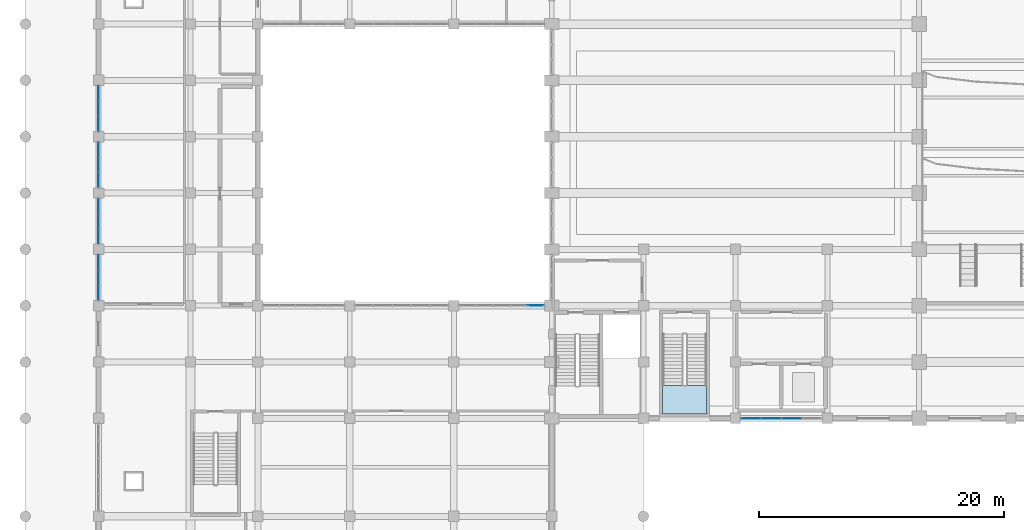
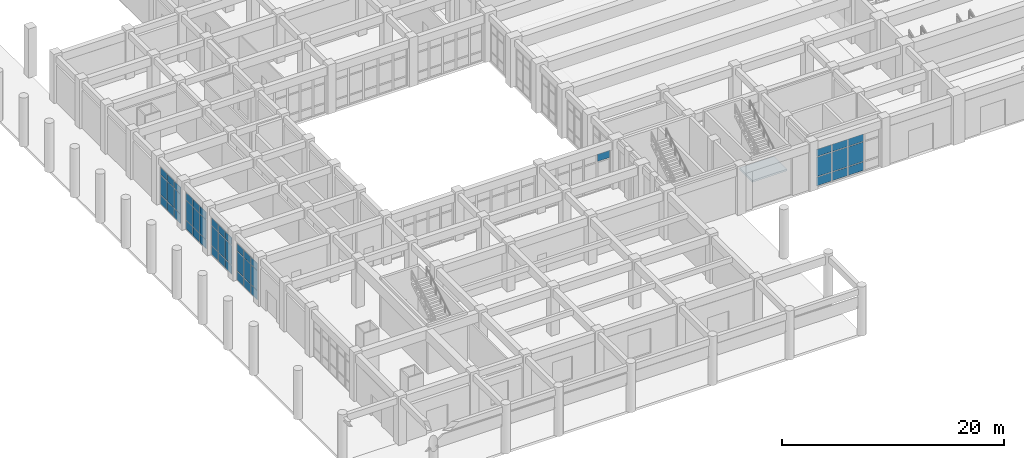
# One storey, part 53 of 84: 46 plates, 1 slab, 7 elements without a shape of their own.
"""IFC4 building model written with IfcOpenShell, lengths in metres."""

from ifc_helpers import new_model, si_unit, direction, frame, origin, origin_2d, place, context, subcontext, project, spatial, polyline, rectangle, outline, extrude, material, layer, layer_set, type_object, element, aggregate, save


model = new_model("IFC4")

# Units and contexts
model_context = context("Model", 3, precision=1e-05, world=origin(), true_north=direction((0.0, 1.0)))
body_context = subcontext(model_context, "Body", "Model", "MODEL_VIEW")
ifc_project = project(units=[si_unit("LENGTHUNIT", "METRE"), si_unit("AREAUNIT", "SQUARE_METRE"), si_unit("VOLUMEUNIT", "CUBIC_METRE"), si_unit("PLANEANGLEUNIT", "RADIAN"), si_unit("MASSUNIT", "GRAM", prefix="KILO")], contexts=[model_context])

# Site, building, storey
site_placement = place(None, origin())
site = spatial("IfcSite", under=ifc_project, at=site_placement, CompositionType="ELEMENT")
building_placement = place(site_placement, origin())
building = spatial("IfcBuilding", under=site, at=building_placement, Name="Muzn Square Opera House", CompositionType="ELEMENT")
storey_placement = place(building_placement, origin())
storey = spatial("IfcBuildingStorey", under=building, at=storey_placement, Name="L00", CompositionType="ELEMENT", Elevation=0.0)

# Curtain wall, plates
ifc_material_1 = material(Name="Low-E laminated acoustic double glazing", Category="glass")
ifc_layer_1 = layer(ifc_material_1, 0.159912109375, Name="Low-E laminated acoustic double glazing", Category="glass")
ifc_layer_set_1 = layer_set([ifc_layer_1], Name="Low-E laminated acoustic double glazing")
curtain_wall_type_1 = type_object("IfcCurtainWallType", Name="Glazed Curtain Wall Forecourt 6650x4150", PredefinedType="USERDEFINED", material=ifc_layer_set_1)
curtain_wall_1_placement = place(storey_placement, origin())
curtain_wall_1 = element("IfcCurtainWall", 1, at=curtain_wall_1_placement, inside=storey, type_object=curtain_wall_type_1, Name="Glazed Curtain Wall CW-L00-001", ObjectType="GLAZED CURTAIN WALL", PredefinedType="USERDEFINED")
ifc_layer_2 = layer(ifc_material_1, 0.035888671875, Name="Low-E laminated acoustic double glazing", Category="glass")
ifc_layer_set_2 = layer_set([ifc_layer_2], Name="Low-E laminated acoustic double glazing")
plate_type = type_object("IfcPlateType", Name="Curtain Wall Solar Glazed Panel 36mm", PredefinedType="CURTAIN_PANEL", material=ifc_layer_set_2)
plate_1_placement = place(storey_placement, frame((59.273681640625, 22.0, 0.06982421875), z_axis=(0.0, 0.0, 1.0), x_axis=(1.0, 0.0, 0.0)))
plate_1 = element("IfcPlate", 2, at=plate_1_placement, type_object=plate_type, Name="CW-FC-66x41 panel 1.1", PredefinedType="CURTAIN_PANEL", context=body_context, shape_type="SweptSolid", body=[
    extrude(rectangle(XDim=1.5576171875, YDim=0.035888671875, at=origin_2d()), origin(), (0.0, 0.0, 1.0), 0.945068359375),
])
plate_2_placement = place(storey_placement, frame((59.273681640625, 22.0, 1.0849609375), z_axis=(0.0, 0.0, 1.0), x_axis=(1.0, 0.0, 0.0)))
plate_2 = element("IfcPlate", 3, at=plate_2_placement, type_object=plate_type, Name="CW-FC-66x41 panel 1.2", PredefinedType="CURTAIN_PANEL", context=body_context, shape_type="SweptSolid", body=[
    extrude(rectangle(XDim=1.5576171875, YDim=0.035888671875, at=origin_2d()), origin(), (0.0, 0.0, 1.0), 2.1298828125),
])
plate_3_placement = place(storey_placement, frame((59.273681640625, 22.0, 3.28515625), z_axis=(0.0, 0.0, 1.0), x_axis=(1.0, 0.0, 0.0)))
plate_3 = element("IfcPlate", 4, at=plate_3_placement, type_object=plate_type, Name="CW-FC-66x41 panel 1.3", PredefinedType="CURTAIN_PANEL", context=body_context, shape_type="SweptSolid", body=[
    extrude(rectangle(XDim=1.5576171875, YDim=0.035888671875, at=origin_2d()), origin(), (0.0, 0.0, 1.0), 0.794921875),
])
plate_4_placement = place(storey_placement, frame((60.918701171875, 22.0, 0.06982421875), z_axis=(0.0, 0.0, 1.0), x_axis=(1.0, 0.0, 0.0)))
plate_4 = element("IfcPlate", 5, at=plate_4_placement, type_object=plate_type, Name="CW-FC-66x41 panel 2.1", PredefinedType="CURTAIN_PANEL", context=body_context, shape_type="SweptSolid", body=[
    extrude(rectangle(XDim=1.592529296875, YDim=0.035888671875, at=origin_2d()), origin(), (0.0, 0.0, 1.0), 0.945068359375),
])
plate_5_placement = place(storey_placement, frame((60.918701171875, 22.0, 1.0849609375), z_axis=(0.0, 0.0, 1.0), x_axis=(1.0, 0.0, 0.0)))
plate_5 = element("IfcPlate", 6, at=plate_5_placement, type_object=plate_type, Name="CW-FC-66x41 panel 2.2", PredefinedType="CURTAIN_PANEL", context=body_context, shape_type="SweptSolid", body=[
    extrude(rectangle(XDim=1.592529296875, YDim=0.035888671875, at=origin_2d()), origin(), (0.0, 0.0, 1.0), 2.1298828125),
])
plate_6_placement = place(storey_placement, frame((60.918701171875, 22.0, 3.28515625), z_axis=(0.0, 0.0, 1.0), x_axis=(1.0, 0.0, 0.0)))
plate_6 = element("IfcPlate", 7, at=plate_6_placement, type_object=plate_type, Name="CW-FC-66x41 panel 2.3", PredefinedType="CURTAIN_PANEL", context=body_context, shape_type="SweptSolid", body=[
    extrude(rectangle(XDim=1.592529296875, YDim=0.035888671875, at=origin_2d()), origin(), (0.0, 0.0, 1.0), 0.794921875),
])
plate_7_placement = place(storey_placement, frame((62.581298828125, 22.0, 0.06982421875), z_axis=(0.0, 0.0, 1.0), x_axis=(1.0, 0.0, 0.0)))
plate_7 = element("IfcPlate", 8, at=plate_7_placement, type_object=plate_type, Name="CW-FC-66x41 panel 3.1", PredefinedType="CURTAIN_PANEL", context=body_context, shape_type="SweptSolid", body=[
    extrude(rectangle(XDim=1.592529296875, YDim=0.035888671875, at=origin_2d()), origin(), (0.0, 0.0, 1.0), 0.945068359375),
])
plate_8_placement = place(storey_placement, frame((62.581298828125, 22.0, 1.0849609375), z_axis=(0.0, 0.0, 1.0), x_axis=(1.0, 0.0, 0.0)))
plate_8 = element("IfcPlate", 9, at=plate_8_placement, type_object=plate_type, Name="CW-FC-66x41 panel 3.2", PredefinedType="CURTAIN_PANEL", context=body_context, shape_type="SweptSolid", body=[
    extrude(rectangle(XDim=1.592529296875, YDim=0.035888671875, at=origin_2d()), origin(), (0.0, 0.0, 1.0), 2.1298828125),
])
plate_9_placement = place(storey_placement, frame((62.581298828125, 22.0, 3.28515625), z_axis=(0.0, 0.0, 1.0), x_axis=(1.0, 0.0, 0.0)))
plate_9 = element("IfcPlate", 10, at=plate_9_placement, type_object=plate_type, Name="CW-FC-66x41 panel 3.3", PredefinedType="CURTAIN_PANEL", context=body_context, shape_type="SweptSolid", body=[
    extrude(rectangle(XDim=1.592529296875, YDim=0.035888671875, at=origin_2d()), origin(), (0.0, 0.0, 1.0), 0.794921875),
])
aggregate(curtain_wall_1, [plate_1, plate_2, plate_3, plate_4, plate_5, plate_6, plate_7, plate_8, plate_9])

# Curtain wall, plate
ifc_layer_3 = layer(ifc_material_1, 0.159912109375, Name="Low-E laminated acoustic double glazing", Category="glass")
ifc_layer_set_3 = layer_set([ifc_layer_3], Name="Low-E laminated acoustic double glazing")
curtain_wall_type_2 = type_object("IfcCurtainWallType", Name="Glazed Curtain Wall WestCloisterS 6975x4150", PredefinedType="USERDEFINED", material=ifc_layer_set_3)
curtain_wall_2_placement = place(storey_placement, origin())
curtain_wall_2 = element("IfcCurtainWall", 11, at=curtain_wall_2_placement, inside=storey, type_object=curtain_wall_type_2, Name="Glazed Curtain Wall CW-L00-073", ObjectType="GLAZED CURTAIN WALL", PredefinedType="USERDEFINED")
plate_10_placement = place(storey_placement, frame((41.68505859375, 31.199951171875, 3.28515625), z_axis=(0.0, 0.0, 1.0), x_axis=(1.0, 0.0, 0.0)))
plate_10 = element("IfcPlate", 12, at=plate_10_placement, type_object=plate_type, Name="CW-WCS-69x41 panel 5.3", PredefinedType="CURTAIN_PANEL", context=body_context, shape_type="SweptSolid", body=[
    extrude(rectangle(XDim=1.2900390625, YDim=0.035888671875, at=origin_2d()), origin(), (0.0, 0.0, 1.0), 0.794921875),
])
aggregate(curtain_wall_2, [plate_10])

# Curtain wall, plates
ifc_layer_4 = layer(ifc_material_1, 0.159912109375, Name="Low-E laminated acoustic double glazing", Category="glass")
ifc_layer_set_4 = layer_set([ifc_layer_4], Name="Low-E laminated acoustic double glazing")
curtain_wall_type_3 = type_object("IfcCurtainWallType", Name="Glazed Curtain Wall WestBlvd 3750x4150", PredefinedType="USERDEFINED", material=ifc_layer_set_4)
curtain_wall_3_placement = place(storey_placement, origin())
curtain_wall_3 = element("IfcCurtainWall", 13, at=curtain_wall_3_placement, inside=storey, type_object=curtain_wall_type_3, Name="Glazed Curtain Wall CW-L00-135", ObjectType="GLAZED CURTAIN WALL", PredefinedType="USERDEFINED")
plate_11_placement = place(storey_placement, frame((6.0, 32.267578125, 0.06982421875), z_axis=(0.0, 0.0, 1.0), x_axis=(0.0, 1.0, 0.0)))
plate_11 = element("IfcPlate", 14, at=plate_11_placement, type_object=plate_type, Name="CW-WBL-37x41 panel 1.1", PredefinedType="CURTAIN_PANEL", context=body_context, shape_type="SweptSolid", body=[
    extrude(rectangle(XDim=1.14501953125, YDim=0.035888671875, at=origin_2d()), origin(), (0.0, 0.0, 1.0), 0.945068359375),
])
plate_12_placement = place(storey_placement, frame((6.0, 32.267578125, 1.0849609375), z_axis=(0.0, 0.0, 1.0), x_axis=(0.0, 1.0, 0.0)))
plate_12 = element("IfcPlate", 15, at=plate_12_placement, type_object=plate_type, Name="CW-WBL-37x41 panel 1.2", PredefinedType="CURTAIN_PANEL", context=body_context, shape_type="SweptSolid", body=[
    extrude(rectangle(XDim=1.14501953125, YDim=0.035888671875, at=origin_2d()), origin(), (0.0, 0.0, 1.0), 2.1298828125),
])
plate_13_placement = place(storey_placement, frame((6.0, 32.267578125, 3.28515625), z_axis=(0.0, 0.0, 1.0), x_axis=(0.0, 1.0, 0.0)))
plate_13 = element("IfcPlate", 16, at=plate_13_placement, type_object=plate_type, Name="CW-WBL-37x41 panel 1.3", PredefinedType="CURTAIN_PANEL", context=body_context, shape_type="SweptSolid", body=[
    extrude(rectangle(XDim=1.14501953125, YDim=0.035888671875, at=origin_2d()), origin(), (0.0, 0.0, 1.0), 0.794921875),
])
plate_14_placement = place(storey_placement, frame((6.0, 33.5, 0.06982421875), z_axis=(0.0, 0.0, 1.0), x_axis=(0.0, 1.0, 0.0)))
plate_14 = element("IfcPlate", 17, at=plate_14_placement, type_object=plate_type, Name="CW-WBL-37x41 panel 2.1", PredefinedType="CURTAIN_PANEL", context=body_context, shape_type="SweptSolid", body=[
    extrude(rectangle(XDim=1.179931640625, YDim=0.035888671875, at=origin_2d()), origin(), (0.0, 0.0, 1.0), 0.945068359375),
])
plate_15_placement = place(storey_placement, frame((6.0, 33.5, 1.0849609375), z_axis=(0.0, 0.0, 1.0), x_axis=(0.0, 1.0, 0.0)))
plate_15 = element("IfcPlate", 18, at=plate_15_placement, type_object=plate_type, Name="CW-WBL-37x41 panel 2.2", PredefinedType="CURTAIN_PANEL", context=body_context, shape_type="SweptSolid", body=[
    extrude(rectangle(XDim=1.179931640625, YDim=0.035888671875, at=origin_2d()), origin(), (0.0, 0.0, 1.0), 2.1298828125),
])
plate_16_placement = place(storey_placement, frame((6.0, 33.5, 3.28515625), z_axis=(0.0, 0.0, 1.0), x_axis=(0.0, 1.0, 0.0)))
plate_16 = element("IfcPlate", 19, at=plate_16_placement, type_object=plate_type, Name="CW-WBL-37x41 panel 2.3", PredefinedType="CURTAIN_PANEL", context=body_context, shape_type="SweptSolid", body=[
    extrude(rectangle(XDim=1.179931640625, YDim=0.035888671875, at=origin_2d()), origin(), (0.0, 0.0, 1.0), 0.794921875),
])
plate_17_placement = place(storey_placement, frame((6.0, 34.732421875, 0.06982421875), z_axis=(0.0, 0.0, 1.0), x_axis=(0.0, 1.0, 0.0)))
plate_17 = element("IfcPlate", 20, at=plate_17_placement, type_object=plate_type, Name="CW-WBL-37x41 panel 3.1", PredefinedType="CURTAIN_PANEL", context=body_context, shape_type="SweptSolid", body=[
    extrude(rectangle(XDim=1.14501953125, YDim=0.035888671875, at=origin_2d()), origin(), (0.0, 0.0, 1.0), 0.945068359375),
])
plate_18_placement = place(storey_placement, frame((6.0, 34.732421875, 1.0849609375), z_axis=(0.0, 0.0, 1.0), x_axis=(0.0, 1.0, 0.0)))
plate_18 = element("IfcPlate", 21, at=plate_18_placement, type_object=plate_type, Name="CW-WBL-37x41 panel 3.2", PredefinedType="CURTAIN_PANEL", context=body_context, shape_type="SweptSolid", body=[
    extrude(rectangle(XDim=1.14501953125, YDim=0.035888671875, at=origin_2d()), origin(), (0.0, 0.0, 1.0), 2.1298828125),
])
plate_19_placement = place(storey_placement, frame((6.0, 34.732421875, 3.28515625), z_axis=(0.0, 0.0, 1.0), x_axis=(0.0, 1.0, 0.0)))
plate_19 = element("IfcPlate", 22, at=plate_19_placement, type_object=plate_type, Name="CW-WBL-37x41 panel 3.3", PredefinedType="CURTAIN_PANEL", context=body_context, shape_type="SweptSolid", body=[
    extrude(rectangle(XDim=1.14501953125, YDim=0.035888671875, at=origin_2d()), origin(), (0.0, 0.0, 1.0), 0.794921875),
])
aggregate(curtain_wall_3, [plate_11, plate_12, plate_13, plate_14, plate_15, plate_16, plate_17, plate_18, plate_19])

curtain_wall_4_placement = place(storey_placement, origin())
curtain_wall_4 = element("IfcCurtainWall", 23, at=curtain_wall_4_placement, inside=storey, type_object=curtain_wall_type_3, Name="Glazed Curtain Wall CW-L00-136", ObjectType="GLAZED CURTAIN WALL", PredefinedType="USERDEFINED")
plate_20_placement = place(storey_placement, frame((6.0, 36.867431640625, 0.06982421875), z_axis=(0.0, 0.0, 1.0), x_axis=(0.0, 1.0, 0.0)))
plate_20 = element("IfcPlate", 24, at=plate_20_placement, type_object=plate_type, Name="CW-WBL-37x41 panel 1.1", PredefinedType="CURTAIN_PANEL", context=body_context, shape_type="SweptSolid", body=[
    extrude(rectangle(XDim=1.14501953125, YDim=0.035888671875, at=origin_2d()), origin(), (0.0, 0.0, 1.0), 0.945068359375),
])
plate_21_placement = place(storey_placement, frame((6.0, 36.867431640625, 1.0849609375), z_axis=(0.0, 0.0, 1.0), x_axis=(0.0, 1.0, 0.0)))
plate_21 = element("IfcPlate", 25, at=plate_21_placement, type_object=plate_type, Name="CW-WBL-37x41 panel 1.2", PredefinedType="CURTAIN_PANEL", context=body_context, shape_type="SweptSolid", body=[
    extrude(rectangle(XDim=1.14501953125, YDim=0.035888671875, at=origin_2d()), origin(), (0.0, 0.0, 1.0), 2.1298828125),
])
plate_22_placement = place(storey_placement, frame((6.0, 36.867431640625, 3.28515625), z_axis=(0.0, 0.0, 1.0), x_axis=(0.0, 1.0, 0.0)))
plate_22 = element("IfcPlate", 26, at=plate_22_placement, type_object=plate_type, Name="CW-WBL-37x41 panel 1.3", PredefinedType="CURTAIN_PANEL", context=body_context, shape_type="SweptSolid", body=[
    extrude(rectangle(XDim=1.14501953125, YDim=0.035888671875, at=origin_2d()), origin(), (0.0, 0.0, 1.0), 0.794921875),
])
plate_23_placement = place(storey_placement, frame((6.0, 38.10009765625, 0.06982421875), z_axis=(0.0, 0.0, 1.0), x_axis=(0.0, 1.0, 0.0)))
plate_23 = element("IfcPlate", 27, at=plate_23_placement, type_object=plate_type, Name="CW-WBL-37x41 panel 2.1", PredefinedType="CURTAIN_PANEL", context=body_context, shape_type="SweptSolid", body=[
    extrude(rectangle(XDim=1.179931640625, YDim=0.035888671875, at=origin_2d()), origin(), (0.0, 0.0, 1.0), 0.945068359375),
])
plate_24_placement = place(storey_placement, frame((6.0, 38.10009765625, 1.0849609375), z_axis=(0.0, 0.0, 1.0), x_axis=(0.0, 1.0, 0.0)))
plate_24 = element("IfcPlate", 28, at=plate_24_placement, type_object=plate_type, Name="CW-WBL-37x41 panel 2.2", PredefinedType="CURTAIN_PANEL", context=body_context, shape_type="SweptSolid", body=[
    extrude(rectangle(XDim=1.179931640625, YDim=0.035888671875, at=origin_2d()), origin(), (0.0, 0.0, 1.0), 2.1298828125),
])
plate_25_placement = place(storey_placement, frame((6.0, 38.10009765625, 3.28515625), z_axis=(0.0, 0.0, 1.0), x_axis=(0.0, 1.0, 0.0)))
plate_25 = element("IfcPlate", 29, at=plate_25_placement, type_object=plate_type, Name="CW-WBL-37x41 panel 2.3", PredefinedType="CURTAIN_PANEL", context=body_context, shape_type="SweptSolid", body=[
    extrude(rectangle(XDim=1.179931640625, YDim=0.035888671875, at=origin_2d()), origin(), (0.0, 0.0, 1.0), 0.794921875),
])
plate_26_placement = place(storey_placement, frame((6.0, 39.33251953125, 0.06982421875), z_axis=(0.0, 0.0, 1.0), x_axis=(0.0, 1.0, 0.0)))
plate_26 = element("IfcPlate", 30, at=plate_26_placement, type_object=plate_type, Name="CW-WBL-37x41 panel 3.1", PredefinedType="CURTAIN_PANEL", context=body_context, shape_type="SweptSolid", body=[
    extrude(rectangle(XDim=1.14501953125, YDim=0.035888671875, at=origin_2d()), origin(), (0.0, 0.0, 1.0), 0.945068359375),
])
plate_27_placement = place(storey_placement, frame((6.0, 39.33251953125, 1.0849609375), z_axis=(0.0, 0.0, 1.0), x_axis=(0.0, 1.0, 0.0)))
plate_27 = element("IfcPlate", 31, at=plate_27_placement, type_object=plate_type, Name="CW-WBL-37x41 panel 3.2", PredefinedType="CURTAIN_PANEL", context=body_context, shape_type="SweptSolid", body=[
    extrude(rectangle(XDim=1.14501953125, YDim=0.035888671875, at=origin_2d()), origin(), (0.0, 0.0, 1.0), 2.1298828125),
])
plate_28_placement = place(storey_placement, frame((6.0, 39.33251953125, 3.28515625), z_axis=(0.0, 0.0, 1.0), x_axis=(0.0, 1.0, 0.0)))
plate_28 = element("IfcPlate", 32, at=plate_28_placement, type_object=plate_type, Name="CW-WBL-37x41 panel 3.3", PredefinedType="CURTAIN_PANEL", context=body_context, shape_type="SweptSolid", body=[
    extrude(rectangle(XDim=1.14501953125, YDim=0.035888671875, at=origin_2d()), origin(), (0.0, 0.0, 1.0), 0.794921875),
])
aggregate(curtain_wall_4, [plate_20, plate_21, plate_22, plate_23, plate_24, plate_25, plate_26, plate_27, plate_28])

curtain_wall_5_placement = place(storey_placement, origin())
curtain_wall_5 = element("IfcCurtainWall", 33, at=curtain_wall_5_placement, inside=storey, type_object=curtain_wall_type_3, Name="Glazed Curtain Wall CW-L00-137", ObjectType="GLAZED CURTAIN WALL", PredefinedType="USERDEFINED")
plate_29_placement = place(storey_placement, frame((6.0, 41.467529296875, 0.06982421875), z_axis=(0.0, 0.0, 1.0), x_axis=(0.0, 1.0, 0.0)))
plate_29 = element("IfcPlate", 34, at=plate_29_placement, type_object=plate_type, Name="CW-WBL-37x41 panel 1.1", PredefinedType="CURTAIN_PANEL", context=body_context, shape_type="SweptSolid", body=[
    extrude(rectangle(XDim=1.14501953125, YDim=0.035888671875, at=origin_2d()), origin(), (0.0, 0.0, 1.0), 0.945068359375),
])
plate_30_placement = place(storey_placement, frame((6.0, 41.467529296875, 1.0849609375), z_axis=(0.0, 0.0, 1.0), x_axis=(0.0, 1.0, 0.0)))
plate_30 = element("IfcPlate", 35, at=plate_30_placement, type_object=plate_type, Name="CW-WBL-37x41 panel 1.2", PredefinedType="CURTAIN_PANEL", context=body_context, shape_type="SweptSolid", body=[
    extrude(rectangle(XDim=1.14501953125, YDim=0.035888671875, at=origin_2d()), origin(), (0.0, 0.0, 1.0), 2.1298828125),
])
plate_31_placement = place(storey_placement, frame((6.0, 41.467529296875, 3.28515625), z_axis=(0.0, 0.0, 1.0), x_axis=(0.0, 1.0, 0.0)))
plate_31 = element("IfcPlate", 36, at=plate_31_placement, type_object=plate_type, Name="CW-WBL-37x41 panel 1.3", PredefinedType="CURTAIN_PANEL", context=body_context, shape_type="SweptSolid", body=[
    extrude(rectangle(XDim=1.14501953125, YDim=0.035888671875, at=origin_2d()), origin(), (0.0, 0.0, 1.0), 0.794921875),
])
plate_32_placement = place(storey_placement, frame((6.0, 42.699951171875, 0.06982421875), z_axis=(0.0, 0.0, 1.0), x_axis=(0.0, 1.0, 0.0)))
plate_32 = element("IfcPlate", 37, at=plate_32_placement, type_object=plate_type, Name="CW-WBL-37x41 panel 2.1", PredefinedType="CURTAIN_PANEL", context=body_context, shape_type="SweptSolid", body=[
    extrude(rectangle(XDim=1.179931640625, YDim=0.035888671875, at=origin_2d()), origin(), (0.0, 0.0, 1.0), 0.945068359375),
])
plate_33_placement = place(storey_placement, frame((6.0, 42.699951171875, 1.0849609375), z_axis=(0.0, 0.0, 1.0), x_axis=(0.0, 1.0, 0.0)))
plate_33 = element("IfcPlate", 38, at=plate_33_placement, type_object=plate_type, Name="CW-WBL-37x41 panel 2.2", PredefinedType="CURTAIN_PANEL", context=body_context, shape_type="SweptSolid", body=[
    extrude(rectangle(XDim=1.179931640625, YDim=0.035888671875, at=origin_2d()), origin(), (0.0, 0.0, 1.0), 2.1298828125),
])
plate_34_placement = place(storey_placement, frame((6.0, 42.699951171875, 3.28515625), z_axis=(0.0, 0.0, 1.0), x_axis=(0.0, 1.0, 0.0)))
plate_34 = element("IfcPlate", 39, at=plate_34_placement, type_object=plate_type, Name="CW-WBL-37x41 panel 2.3", PredefinedType="CURTAIN_PANEL", context=body_context, shape_type="SweptSolid", body=[
    extrude(rectangle(XDim=1.179931640625, YDim=0.035888671875, at=origin_2d()), origin(), (0.0, 0.0, 1.0), 0.794921875),
])
plate_35_placement = place(storey_placement, frame((6.0, 43.9326171875, 0.06982421875), z_axis=(0.0, 0.0, 1.0), x_axis=(0.0, 1.0, 0.0)))
plate_35 = element("IfcPlate", 40, at=plate_35_placement, type_object=plate_type, Name="CW-WBL-37x41 panel 3.1", PredefinedType="CURTAIN_PANEL", context=body_context, shape_type="SweptSolid", body=[
    extrude(rectangle(XDim=1.14501953125, YDim=0.035888671875, at=origin_2d()), origin(), (0.0, 0.0, 1.0), 0.945068359375),
])
plate_36_placement = place(storey_placement, frame((6.0, 43.9326171875, 1.0849609375), z_axis=(0.0, 0.0, 1.0), x_axis=(0.0, 1.0, 0.0)))
plate_36 = element("IfcPlate", 41, at=plate_36_placement, type_object=plate_type, Name="CW-WBL-37x41 panel 3.2", PredefinedType="CURTAIN_PANEL", context=body_context, shape_type="SweptSolid", body=[
    extrude(rectangle(XDim=1.14501953125, YDim=0.035888671875, at=origin_2d()), origin(), (0.0, 0.0, 1.0), 2.1298828125),
])
plate_37_placement = place(storey_placement, frame((6.0, 43.9326171875, 3.28515625), z_axis=(0.0, 0.0, 1.0), x_axis=(0.0, 1.0, 0.0)))
plate_37 = element("IfcPlate", 42, at=plate_37_placement, type_object=plate_type, Name="CW-WBL-37x41 panel 3.3", PredefinedType="CURTAIN_PANEL", context=body_context, shape_type="SweptSolid", body=[
    extrude(rectangle(XDim=1.14501953125, YDim=0.035888671875, at=origin_2d()), origin(), (0.0, 0.0, 1.0), 0.794921875),
])
aggregate(curtain_wall_5, [plate_29, plate_30, plate_31, plate_32, plate_33, plate_34, plate_35, plate_36, plate_37])

curtain_wall_6_placement = place(storey_placement, origin())
curtain_wall_6 = element("IfcCurtainWall", 43, at=curtain_wall_6_placement, inside=storey, type_object=curtain_wall_type_3, Name="Glazed Curtain Wall CW-L00-138", ObjectType="GLAZED CURTAIN WALL", PredefinedType="USERDEFINED")
plate_38_placement = place(storey_placement, frame((6.0, 46.0673828125, 0.06982421875), z_axis=(0.0, 0.0, 1.0), x_axis=(0.0, 1.0, 0.0)))
plate_38 = element("IfcPlate", 44, at=plate_38_placement, type_object=plate_type, Name="CW-WBL-37x41 panel 1.1", PredefinedType="CURTAIN_PANEL", context=body_context, shape_type="SweptSolid", body=[
    extrude(rectangle(XDim=1.14501953125, YDim=0.035888671875, at=origin_2d()), origin(), (0.0, 0.0, 1.0), 0.945068359375),
])
plate_39_placement = place(storey_placement, frame((6.0, 46.0673828125, 1.0849609375), z_axis=(0.0, 0.0, 1.0), x_axis=(0.0, 1.0, 0.0)))
plate_39 = element("IfcPlate", 45, at=plate_39_placement, type_object=plate_type, Name="CW-WBL-37x41 panel 1.2", PredefinedType="CURTAIN_PANEL", context=body_context, shape_type="SweptSolid", body=[
    extrude(rectangle(XDim=1.14501953125, YDim=0.035888671875, at=origin_2d()), origin(), (0.0, 0.0, 1.0), 2.1298828125),
])
plate_40_placement = place(storey_placement, frame((6.0, 46.0673828125, 3.28515625), z_axis=(0.0, 0.0, 1.0), x_axis=(0.0, 1.0, 0.0)))
plate_40 = element("IfcPlate", 46, at=plate_40_placement, type_object=plate_type, Name="CW-WBL-37x41 panel 1.3", PredefinedType="CURTAIN_PANEL", context=body_context, shape_type="SweptSolid", body=[
    extrude(rectangle(XDim=1.14501953125, YDim=0.035888671875, at=origin_2d()), origin(), (0.0, 0.0, 1.0), 0.794921875),
])
plate_41_placement = place(storey_placement, frame((6.0, 47.300048828125, 0.06982421875), z_axis=(0.0, 0.0, 1.0), x_axis=(0.0, 1.0, 0.0)))
plate_41 = element("IfcPlate", 47, at=plate_41_placement, type_object=plate_type, Name="CW-WBL-37x41 panel 2.1", PredefinedType="CURTAIN_PANEL", context=body_context, shape_type="SweptSolid", body=[
    extrude(rectangle(XDim=1.179931640625, YDim=0.035888671875, at=origin_2d()), origin(), (0.0, 0.0, 1.0), 0.945068359375),
])
plate_42_placement = place(storey_placement, frame((6.0, 47.300048828125, 1.0849609375), z_axis=(0.0, 0.0, 1.0), x_axis=(0.0, 1.0, 0.0)))
plate_42 = element("IfcPlate", 48, at=plate_42_placement, type_object=plate_type, Name="CW-WBL-37x41 panel 2.2", PredefinedType="CURTAIN_PANEL", context=body_context, shape_type="SweptSolid", body=[
    extrude(rectangle(XDim=1.179931640625, YDim=0.035888671875, at=origin_2d()), origin(), (0.0, 0.0, 1.0), 2.1298828125),
])
plate_43_placement = place(storey_placement, frame((6.0, 47.300048828125, 3.28515625), z_axis=(0.0, 0.0, 1.0), x_axis=(0.0, 1.0, 0.0)))
plate_43 = element("IfcPlate", 49, at=plate_43_placement, type_object=plate_type, Name="CW-WBL-37x41 panel 2.3", PredefinedType="CURTAIN_PANEL", context=body_context, shape_type="SweptSolid", body=[
    extrude(rectangle(XDim=1.179931640625, YDim=0.035888671875, at=origin_2d()), origin(), (0.0, 0.0, 1.0), 0.794921875),
])
plate_44_placement = place(storey_placement, frame((6.0, 48.532470703125, 0.06982421875), z_axis=(0.0, 0.0, 1.0), x_axis=(0.0, 1.0, 0.0)))
plate_44 = element("IfcPlate", 50, at=plate_44_placement, type_object=plate_type, Name="CW-WBL-37x41 panel 3.1", PredefinedType="CURTAIN_PANEL", context=body_context, shape_type="SweptSolid", body=[
    extrude(rectangle(XDim=1.14501953125, YDim=0.035888671875, at=origin_2d()), origin(), (0.0, 0.0, 1.0), 0.945068359375),
])
plate_45_placement = place(storey_placement, frame((6.0, 48.532470703125, 1.0849609375), z_axis=(0.0, 0.0, 1.0), x_axis=(0.0, 1.0, 0.0)))
plate_45 = element("IfcPlate", 51, at=plate_45_placement, type_object=plate_type, Name="CW-WBL-37x41 panel 3.2", PredefinedType="CURTAIN_PANEL", context=body_context, shape_type="SweptSolid", body=[
    extrude(rectangle(XDim=1.14501953125, YDim=0.035888671875, at=origin_2d()), origin(), (0.0, 0.0, 1.0), 2.1298828125),
])
plate_46_placement = place(storey_placement, frame((6.0, 48.532470703125, 3.28515625), z_axis=(0.0, 0.0, 1.0), x_axis=(0.0, 1.0, 0.0)))
plate_46 = element("IfcPlate", 52, at=plate_46_placement, type_object=plate_type, Name="CW-WBL-37x41 panel 3.3", PredefinedType="CURTAIN_PANEL", context=body_context, shape_type="SweptSolid", body=[
    extrude(rectangle(XDim=1.14501953125, YDim=0.035888671875, at=origin_2d()), origin(), (0.0, 0.0, 1.0), 0.794921875),
])
aggregate(curtain_wall_6, [plate_38, plate_39, plate_40, plate_41, plate_42, plate_43, plate_44, plate_45, plate_46])

# Stair, slab
ifc_material_2 = material(Name="Concrete C40/50", Category="concrete")
stair_type = type_object("IfcStairType", Name="Core Escape Dogleg Stair", PredefinedType="HALF_TURN_STAIR", material=ifc_material_2)
stair_placement = place(storey_placement, origin())
stair = element("IfcStair", 53, at=stair_placement, inside=storey, type_object=stair_type, Name="L00 Escape Stair ST-11", PredefinedType="HALF_TURN_STAIR")
ifc_layer_5 = layer(ifc_material_2, 0.199951171875, Name="Concrete C40/50", Category="concrete")
ifc_layer_set_5 = layer_set([ifc_layer_5], Name="Concrete C40/50")
slab_type = type_object("IfcSlabType", Name="Stair Half Landing 200mm", PredefinedType="LANDING", material=ifc_layer_set_5)
slab_placement = place(storey_placement, frame((0.0, 0.0, 2.5)))
slab = element("IfcSlab", 54, at=slab_placement, type_object=slab_type, Name="ST-11 landing 1", PredefinedType="LANDING", context=body_context, shape_type="SweptSolid", body=[
    extrude(outline(polyline([(52.050048828125, 24.68994140625), (52.050048828125, 22.35009765625), (55.64990234375, 22.35009765625), (55.64990234375, 24.68994140625), (52.050048828125, 24.68994140625)])), origin(), (0.0, 0.0, 1.0), 0.199951171875),
])
aggregate(stair, [slab])

save(model, "model.ifc")
